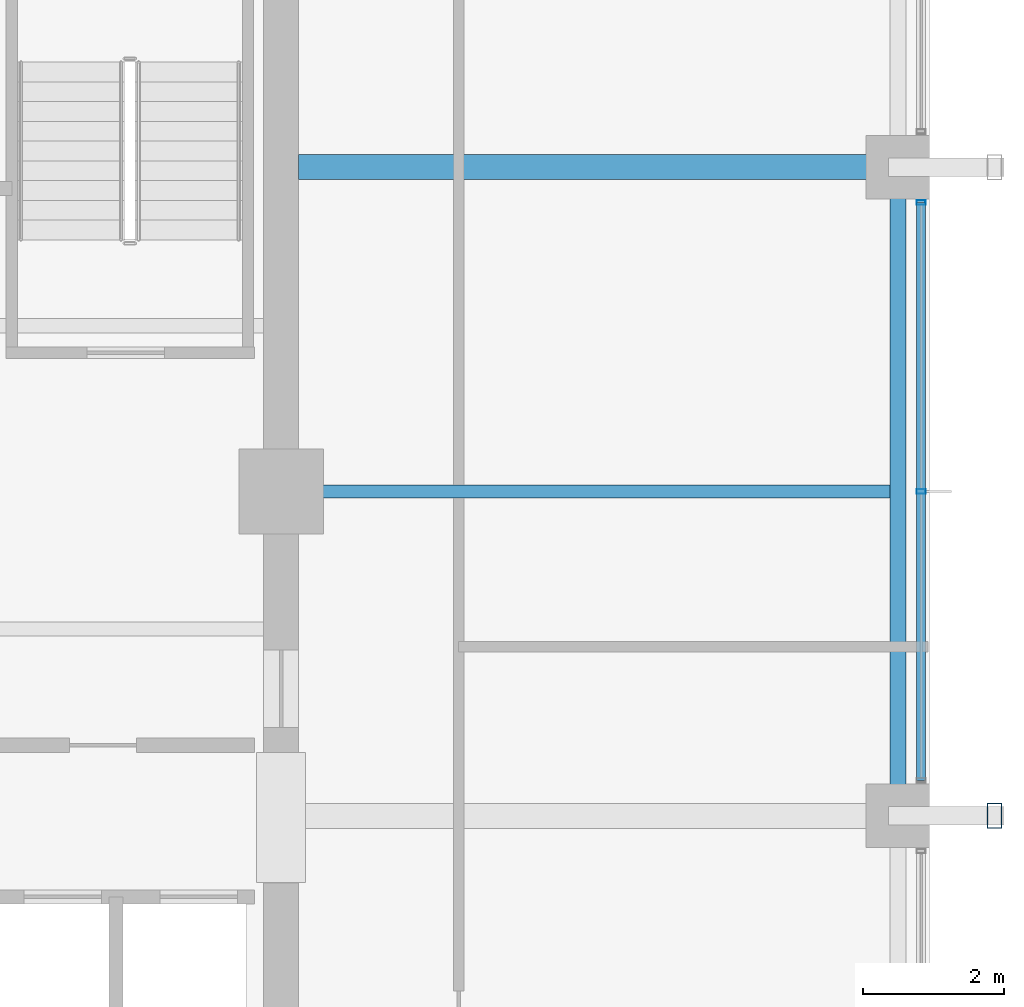
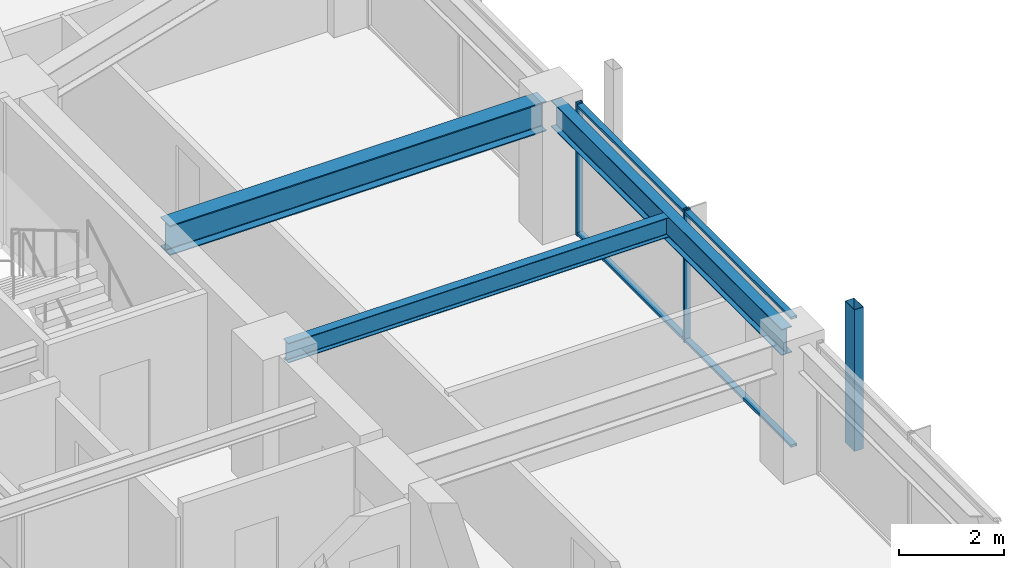
# One storey, part 13 of 32: 5 members, 3 beams, 1 element without a shape of its own.
"""IFC4 building model written with IfcOpenShell, lengths in metres."""

from ifc_helpers import new_model, si_unit, direction, frame, origin, origin_2d, place, context, subcontext, project, spatial, hollow_rectangle, i_section, extrude, material, material_profile, profile_set, type_object, element, aggregate, save


model = new_model("IFC4")

# Units and contexts
model_context = context("Model", 3, precision=1e-05, world=origin(), true_north=direction((0.0, 1.0)))
body_context = subcontext(model_context, "Body", "Model", "MODEL_VIEW")
ifc_project = project(units=[si_unit("LENGTHUNIT", "METRE"), si_unit("AREAUNIT", "SQUARE_METRE"), si_unit("VOLUMEUNIT", "CUBIC_METRE"), si_unit("PLANEANGLEUNIT", "RADIAN"), si_unit("MASSUNIT", "GRAM", prefix="KILO")], contexts=[model_context])

# Site, building, storey
site_placement = place(None, origin())
site = spatial("IfcSite", under=ifc_project, at=site_placement, CompositionType="ELEMENT")
building_placement = place(site_placement, origin())
building = spatial("IfcBuilding", under=site, at=building_placement, Name="Kolvaren Belvedere", CompositionType="ELEMENT")
storey_placement = place(building_placement, frame((0.0, 0.0, 160.199951171875)))
storey = spatial("IfcBuildingStorey", under=building, at=storey_placement, Name="L46", CompositionType="ELEMENT", Elevation=160.199951171875)

# Beams
ifc_material_1 = material(Name="Structural steel ASTM A992 Grade 50", Category="steel")
ifc_material_profile_1 = material_profile(ifc_material_1, i_section(OverallWidth=0.35498046875, OverallDepth=0.696044921875, WebThickness=0.015380859375, FlangeThickness=0.02490234375, FilletRadius=0.02197265625, at=origin_2d()), Name="W27X146")
ifc_profile_set_1 = profile_set([ifc_material_profile_1], Name="Structural steel ASTM A992 Grade 50")
beam_type_1 = type_object("IfcBeamType", Name="BM-GIRD-W27X146", PredefinedType="BEAM", material=ifc_profile_set_1)
beam_1_placement = place(storey_placement, frame((10.14990234375, 4.60009765625, 2.751953125), z_axis=(1.0, 0.0, 0.0), x_axis=(0.0, 1.0, 0.0)))
element("IfcBeam", 1, at=beam_1_placement, inside=storey, type_object=beam_type_1, Name="L46 East Radial Girder P", PredefinedType="BEAM", context=body_context, shape_type="SweptSolid", body=[
    extrude(i_section(OverallWidth=0.35498046875, OverallDepth=0.696044921875, WebThickness=0.015380859375, FlangeThickness=0.02490234375, FilletRadius=0.02197265625, at=origin_2d()), origin(), (0.0, 0.0, 1.0), 8.297607421875),
])
ifc_material_2 = material(Name="Structural steel ASTM A992 Grade 50", Category="steel")
ifc_material_profile_2 = material_profile(ifc_material_2, i_section(OverallWidth=0.19091796875, OverallDepth=0.4599609375, WebThickness=0.010009765625, FlangeThickness=0.01611328125, FilletRadius=0.014892578125, at=origin_2d()), Name="W18X55")
ifc_profile_set_2 = profile_set([ifc_material_profile_2], Name="Structural steel ASTM A992 Grade 50")
beam_type_2 = type_object("IfcBeamType", Name="BM-JOIST-W18X55", PredefinedType="BEAM", material=ifc_profile_set_2)
beam_2_placement = place(storey_placement, frame((10.14990234375, 0.0, 2.8701171875), z_axis=(1.0, 0.0, 0.0), x_axis=(0.0, 1.0, 0.0)))
element("IfcBeam", 2, at=beam_2_placement, inside=storey, type_object=beam_type_2, Name="L46 East Centre Floor Beam", PredefinedType="BEAM", context=body_context, shape_type="SweptSolid", body=[
    extrude(i_section(OverallWidth=0.19091796875, OverallDepth=0.4599609375, WebThickness=0.010009765625, FlangeThickness=0.01611328125, FilletRadius=0.014892578125, at=origin_2d()), origin(), (0.0, 0.0, 1.0), 8.385498046875),
])
ifc_material_3 = material(Name="Structural steel ASTM A992 Grade 50", Category="steel")
ifc_material_profile_3 = material_profile(ifc_material_3, i_section(OverallWidth=0.22900390625, OverallDepth=0.612060546875, WebThickness=0.011962890625, FlangeThickness=0.01953125, FilletRadius=0.01806640625, at=origin_2d()), Name="W24X84")
ifc_profile_set_3 = profile_set([ifc_material_profile_3], Name="Structural steel ASTM A992 Grade 50")
beam_type_3 = type_object("IfcBeamType", Name="BM-SPAN-W24X84", PredefinedType="SPANDREL", material=ifc_profile_set_3)
beam_3_placement = place(storey_placement, frame((18.64990234375, -4.3974609375, 2.7939453125), z_axis=(0.0, 1.0, 0.0), x_axis=(-1.0, 0.0, 0.0)))
element("IfcBeam", 3, at=beam_3_placement, inside=storey, type_object=beam_type_3, Name="L46 Perimeter Spandrel E2-E3", PredefinedType="SPANDREL", context=body_context, shape_type="SweptSolid", body=[
    extrude(i_section(OverallWidth=0.22900390625, OverallDepth=0.612060546875, WebThickness=0.011962890625, FlangeThickness=0.01953125, FilletRadius=0.01806640625, at=origin_2d()), origin(), (0.0, 0.0, 1.0), 8.794921875),
])

# Curtain wall, members
ifc_material_4 = material(Name="Anodised pale-metal aluminium AA 6063-T6", Category="aluminium")
curtain_wall_type = type_object("IfcCurtainWallType", Name="CW-Z3-WAIST", PredefinedType="NOTDEFINED", material=ifc_material_4)
curtain_wall_placement = place(storey_placement, origin())
curtain_wall = element("IfcCurtainWall", 4, at=curtain_wall_placement, inside=storey, type_object=curtain_wall_type, Name="L46 Unitised Curtain Wall FCW-L46-E-B2", PredefinedType="NOTDEFINED")
ifc_material_5 = material(Name="Anodised pale-metal aluminium AA 6063-T6", Category="aluminium")
ifc_material_profile_4 = material_profile(ifc_material_5, hollow_rectangle(XDim=0.06494140625, YDim=0.1298828125, WallThickness=0.00390625, at=origin_2d()), Name="ALU-MUL-130X65")
ifc_profile_set_4 = profile_set([ifc_material_profile_4], Name="Anodised pale-metal aluminium AA 6063-T6")
member_type_1 = type_object("IfcMemberType", Name="CW-MUL-130", PredefinedType="MULLION", material=ifc_profile_set_4)
member_1_placement = place(storey_placement, frame((18.97998046875, 4.097412109375, 0.0), z_axis=(0.0, 0.0, 1.0), x_axis=(0.0, 1.0, 0.0)))
member_1 = element("IfcMember", 5, at=member_1_placement, type_object=member_type_1, Name="FCW-L46-E-B2 Unitised Mullion 1", PredefinedType="MULLION", context=body_context, shape_type="SweptSolid", body=[
    extrude(hollow_rectangle(XDim=0.06494140625, YDim=0.1298828125, WallThickness=0.00390625, at=origin_2d()), origin(), (0.0, 0.0, 1.0), 3.10009765625),
])
member_2_placement = place(storey_placement, frame((18.97998046875, 0.0, 0.0), z_axis=(0.0, 0.0, 1.0), x_axis=(0.0, 1.0, 0.0)))
member_2 = element("IfcMember", 6, at=member_2_placement, type_object=member_type_1, Name="FCW-L46-E-B2 Unitised Mullion 2", PredefinedType="MULLION", context=body_context, shape_type="SweptSolid", body=[
    extrude(hollow_rectangle(XDim=0.06494140625, YDim=0.1298828125, WallThickness=0.00390625, at=origin_2d()), origin(), (0.0, 0.0, 1.0), 3.10009765625),
])
ifc_material_6 = material(Name="Anodised pale-metal aluminium AA 6063-T6", Category="aluminium")
ifc_material_profile_5 = material_profile(ifc_material_6, hollow_rectangle(XDim=0.06005859375, YDim=0.1298828125, WallThickness=0.00390625, at=origin_2d()), Name="ALU-TRN-130X60")
ifc_profile_set_5 = profile_set([ifc_material_profile_5], Name="Anodised pale-metal aluminium AA 6063-T6")
member_type_2 = type_object("IfcMemberType", Name="CW-TRN-130", PredefinedType="USERDEFINED", material=ifc_profile_set_5)
member_3_placement = place(storey_placement, frame((18.97998046875, 4.097412109375, 0.06005859375), z_axis=(0.0, -1.0, 0.0), x_axis=(0.0, 0.0, 1.0)))
member_3 = element("IfcMember", 7, at=member_3_placement, type_object=member_type_2, Name="FCW-L46-E-B2 Sill Transom", ObjectType="TRANSOM", PredefinedType="USERDEFINED", context=body_context, shape_type="SweptSolid", body=[
    extrude(hollow_rectangle(XDim=0.06005859375, YDim=0.1298828125, WallThickness=0.00390625, at=origin_2d()), origin(), (0.0, 0.0, 1.0), 8.19482421875),
])
member_4_placement = place(storey_placement, frame((18.97998046875, 4.097412109375, 3.0400390625), z_axis=(0.0, -1.0, 0.0), x_axis=(0.0, 0.0, 1.0)))
member_4 = element("IfcMember", 8, at=member_4_placement, type_object=member_type_2, Name="FCW-L46-E-B2 Head Transom", ObjectType="TRANSOM", PredefinedType="USERDEFINED", context=body_context, shape_type="SweptSolid", body=[
    extrude(hollow_rectangle(XDim=0.06005859375, YDim=0.1298828125, WallThickness=0.00390625, at=origin_2d()), origin(), (0.0, 0.0, 1.0), 8.19482421875),
])
aggregate(curtain_wall, [member_1, member_2, member_3, member_4])

# Member
ifc_material_7 = material(Name="Anodised pale-metal aluminium AA 6063-T6", Category="aluminium")
ifc_material_profile_6 = material_profile(ifc_material_7, hollow_rectangle(XDim=0.199951171875, YDim=0.35009765625, WallThickness=0.007568359375, at=origin_2d()), Name="ALU-PF-350X200")
ifc_profile_set_6 = profile_set([ifc_material_profile_6], Name="Anodised pale-metal aluminium AA 6063-T6")
member_type_3 = type_object("IfcMemberType", Name="PF-FRAME-350", PredefinedType="USERDEFINED", material=ifc_profile_set_6)
member_5_placement = place(storey_placement, frame((20.02001953125, -4.60009765625, 0.0), z_axis=(0.0, 0.0, 1.0), x_axis=(1.0, 0.0, 0.0)))
element("IfcMember", 9, at=member_5_placement, inside=storey, type_object=member_type_3, Name="L46 Outboard Picture-Frame Vertical E2", ObjectType="PICTURE FRAME FIN", PredefinedType="USERDEFINED", context=body_context, shape_type="SweptSolid", body=[
    extrude(hollow_rectangle(XDim=0.199951171875, YDim=0.35009765625, WallThickness=0.007568359375, at=origin_2d()), origin(), (0.0, 0.0, 1.0), 3.300048828125),
])

save(model, "model.ifc")
